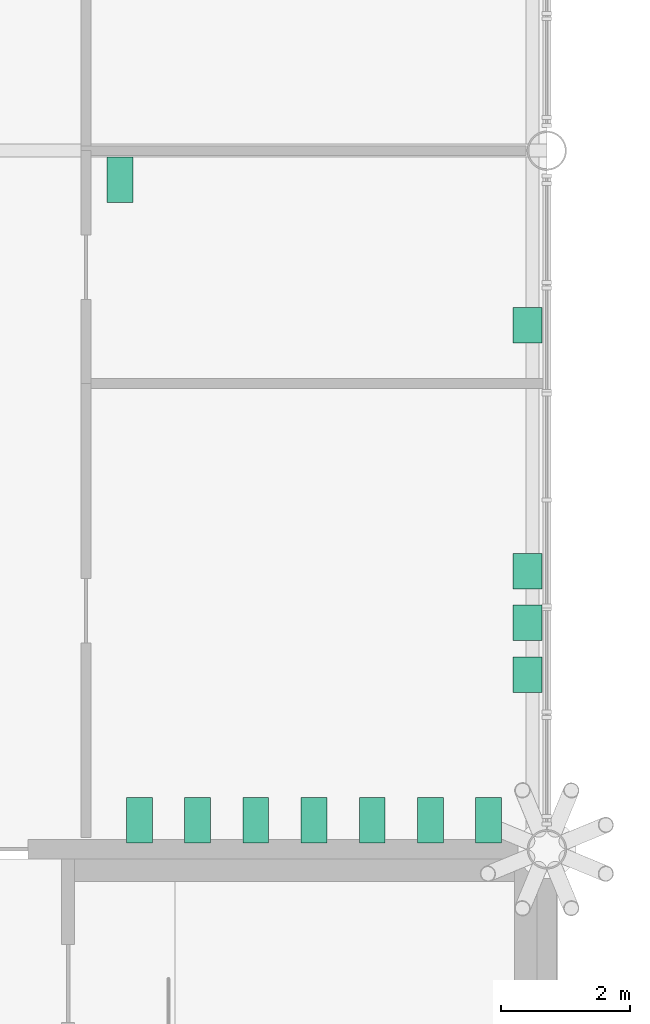
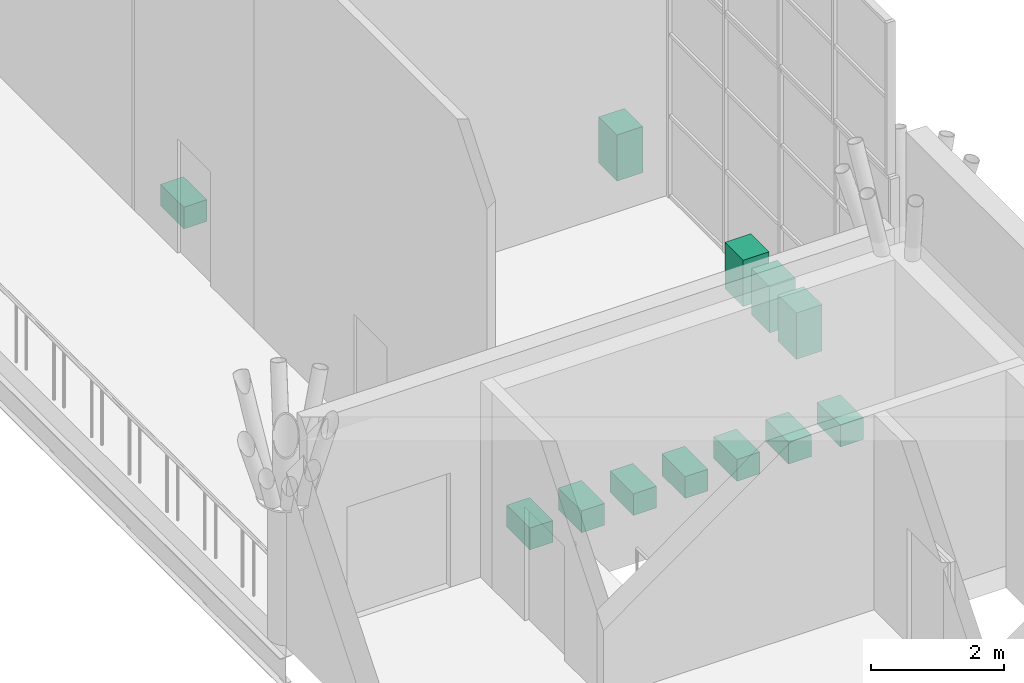
# One storey, part 94 of 95: 12 sanitary terminals.
"""IFC4 building model written with IfcOpenShell, lengths in metres."""

from ifc_helpers import new_model, si_unit, direction, frame, origin, origin_2d, place, context, subcontext, project, spatial, rectangle, extrude, element, save


model = new_model("IFC4")

# Units and contexts
model_context = context("Model", 3, precision=1e-05, world=origin(), true_north=direction((0.0, 1.0)))
body_context = subcontext(model_context, "Body", "Model", "MODEL_VIEW")
ifc_project = project(units=[si_unit("LENGTHUNIT", "METRE"), si_unit("AREAUNIT", "SQUARE_METRE"), si_unit("VOLUMEUNIT", "CUBIC_METRE"), si_unit("PLANEANGLEUNIT", "RADIAN"), si_unit("MASSUNIT", "GRAM", prefix="KILO")], contexts=[model_context])

# Site, building, storey
site_placement = place(None, origin())
site = spatial("IfcSite", under=ifc_project, at=site_placement, CompositionType="ELEMENT")
building_placement = place(site_placement, origin())
building = spatial("IfcBuilding", under=site, at=building_placement, Name="Magnolia Steps Interchange", CompositionType="ELEMENT")
storey_placement = place(building_placement, frame((0.0, 0.0, 4.800048828125)))
storey = spatial("IfcBuildingStorey", under=building, at=storey_placement, Name="L01", CompositionType="ELEMENT", Elevation=4.800048828125)

# Sanitary terminals
for number, where, z_axis, x_axis, name in (
    (1, (111.699951171875, 53.64990234375, 0.0), (0.0, 0.0, 1.0), (1.0, 0.0, 0.0), "WC pan 1"),
    (2, (112.60009765625, 53.64990234375, 0.0), (0.0, 0.0, 1.0), (1.0, 0.0, 0.0), "WC pan 2"),
    (3, (113.5, 53.64990234375, 0.0), (0.0, 0.0, 1.0), (1.0, 0.0, 0.0), "WC pan 3"),
    (4, (114.39990234375, 53.64990234375, 0.0), (0.0, 0.0, 1.0), (1.0, 0.0, 0.0), "WC pan 4"),
    (5, (115.300048828125, 53.64990234375, 0.0), (0.0, 0.0, 1.0), (1.0, 0.0, 0.0), "WC pan 5"),
    (6, (116.199951171875, 53.64990234375, 0.0), (0.0, 0.0, 1.0), (1.0, 0.0, 0.0), "WC pan 6"),
    (7, (117.10009765625, 53.64990234375, 0.0), (0.0, 0.0, 1.0), (1.0, 0.0, 0.0), "WC pan 7"),
):
    element("IfcSanitaryTerminal", number, at=place(storey_placement, frame(where, z_axis=z_axis, x_axis=x_axis)), inside=storey, Name=name, PredefinedType="TOILETPAN", context=body_context, shape_type="SweptSolid", body=[
        extrude(rectangle(XDim=0.39990234375, YDim=0.699951171875, at=origin_2d()), origin(), (0.0, 0.0, 1.0), 0.39990234375),
    ])
for number, where, z_axis, x_axis, name in (
    (8, (117.699951171875, 55.89990234375, 0.0), (0.0, 0.0, 1.0), (1.0, 0.0, 0.0), "Wash basin 1"),
    (9, (117.699951171875, 56.699951171875, 0.0), (0.0, 0.0, 1.0), (1.0, 0.0, 0.0), "Wash basin 2"),
    (10, (117.699951171875, 57.5, 0.0), (0.0, 0.0, 1.0), (1.0, 0.0, 0.0), "Wash basin 3"),
):
    element("IfcSanitaryTerminal", number, at=place(storey_placement, frame(where, z_axis=z_axis, x_axis=x_axis)), inside=storey, Name=name, PredefinedType="WASHHANDBASIN", context=body_context, shape_type="SweptSolid", body=[
        extrude(rectangle(XDim=0.449951171875, YDim=0.550048828125, at=origin_2d()), origin(), (0.0, 0.0, 1.0), 0.85009765625),
    ])
sanitary_terminal_1_placement = place(storey_placement, frame((111.39990234375, 63.550048828125, 0.0), z_axis=(0.0, 0.0, 1.0), x_axis=(1.0, 0.0, 0.0)))
element("IfcSanitaryTerminal", 11, at=sanitary_terminal_1_placement, inside=storey, Name="WC pan 1", PredefinedType="TOILETPAN", context=body_context, shape_type="SweptSolid", body=[
    extrude(rectangle(XDim=0.39990234375, YDim=0.699951171875, at=origin_2d()), origin(), (0.0, 0.0, 1.0), 0.39990234375),
])
sanitary_terminal_2_placement = place(storey_placement, frame((117.699951171875, 61.300048828125, 0.0), z_axis=(0.0, 0.0, 1.0), x_axis=(1.0, 0.0, 0.0)))
element("IfcSanitaryTerminal", 12, at=sanitary_terminal_2_placement, inside=storey, Name="Wash basin 1", PredefinedType="WASHHANDBASIN", context=body_context, shape_type="SweptSolid", body=[
    extrude(rectangle(XDim=0.449951171875, YDim=0.550048828125, at=origin_2d()), origin(), (0.0, 0.0, 1.0), 0.85009765625),
])

save(model, "model.ifc")
